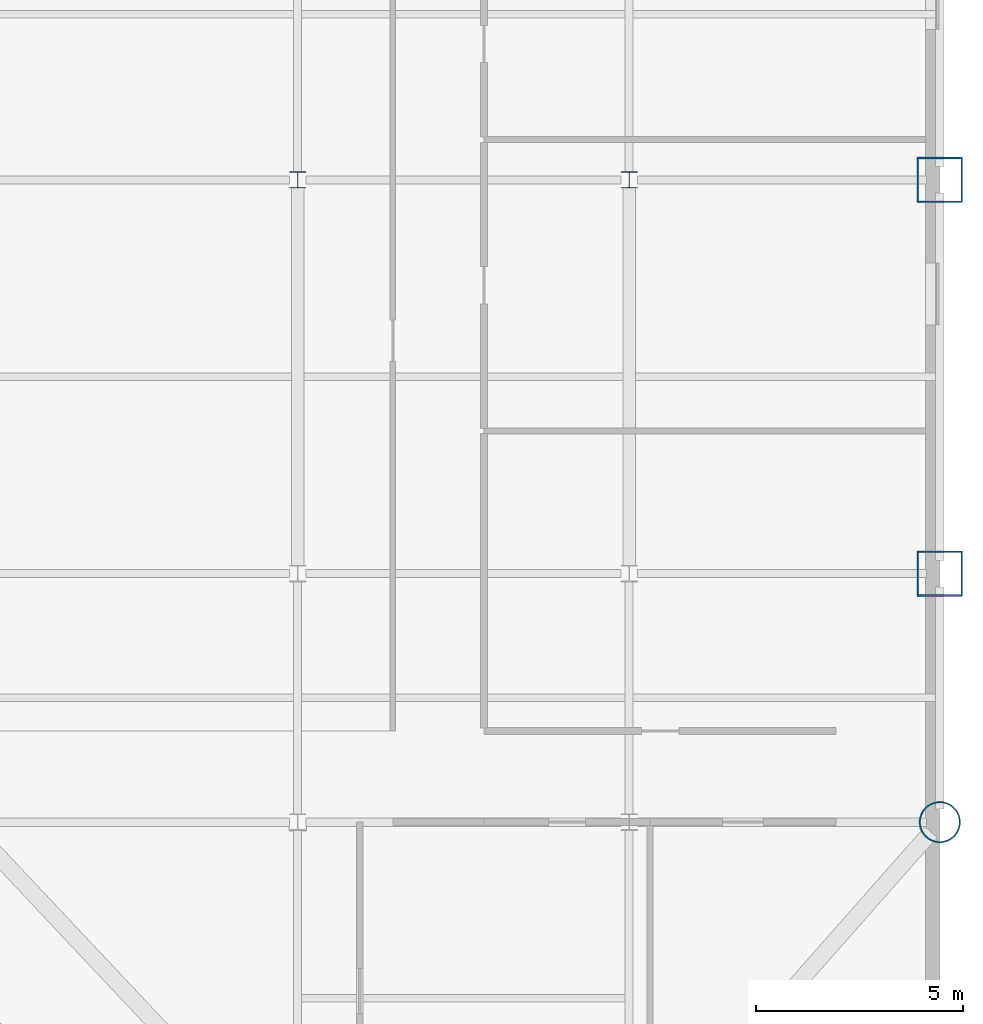
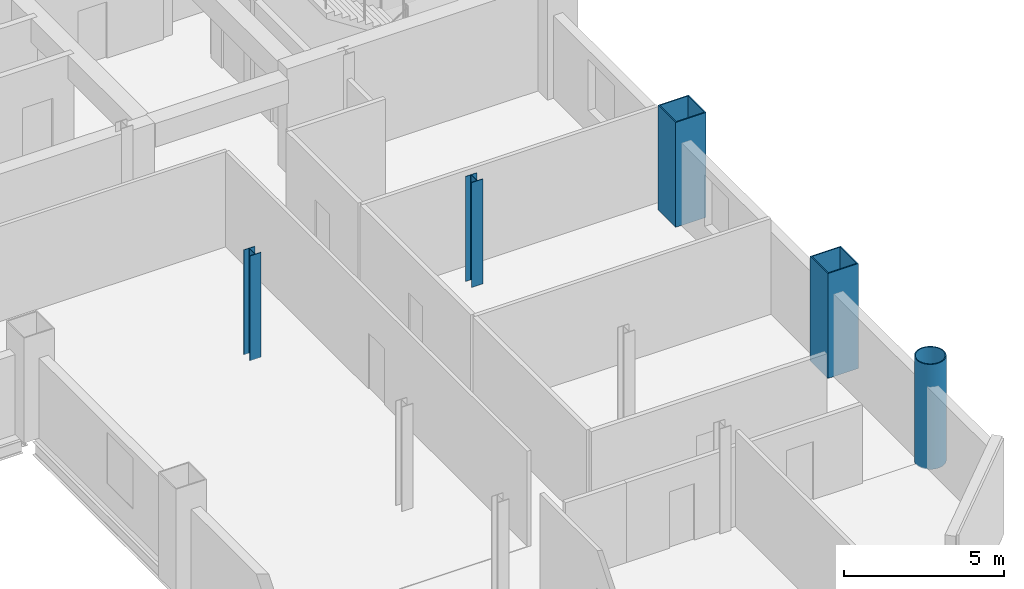
# One storey, part 2 of 10: 5 columns.
"""IFC4 building model written with IfcOpenShell, lengths in metres."""

from ifc_helpers import new_model, si_unit, direction, frame, origin, origin_2d, place, context, subcontext, project, spatial, hollow_rectangle, hollow_circle, i_section, extrude, material, material_profile, profile_set, type_object, element, save


model = new_model("IFC4")

# Units and contexts
model_context = context("Model", 3, precision=1e-05, world=origin(), true_north=direction((0.0, 1.0)))
body_context = subcontext(model_context, "Body", "Model", "MODEL_VIEW")
ifc_project = project(units=[si_unit("LENGTHUNIT", "METRE"), si_unit("AREAUNIT", "SQUARE_METRE"), si_unit("VOLUMEUNIT", "CUBIC_METRE"), si_unit("PLANEANGLEUNIT", "RADIAN"), si_unit("MASSUNIT", "GRAM", prefix="KILO")], contexts=[model_context])

# Site, building, storey
site_placement = place(None, origin())
site = spatial("IfcSite", under=ifc_project, at=site_placement, CompositionType="ELEMENT")
building_placement = place(site_placement, origin())
building = spatial("IfcBuilding", under=site, at=building_placement, Name="Qianrong Seaharbour Tower", CompositionType="ELEMENT")
storey_placement = place(building_placement, frame((0.0, 0.0, 191.0)))
storey = spatial("IfcBuildingStorey", under=building, at=storey_placement, Name="L46", CompositionType="ELEMENT", Elevation=191.0)

# Columns
ifc_material = material(Name="Structural steel SN490B", Category="steel")
ifc_material_profile_1 = material_profile(ifc_material, hollow_rectangle(XDim=1.10009765625, YDim=1.10009765625, WallThickness=0.0400390625, at=origin_2d()), Name="BOX1100x1100x40")
ifc_profile_set_1 = profile_set([ifc_material_profile_1], Name="Structural steel SN490B")
column_type_1 = type_object("IfcColumnType", Name="COL-CFT-1100", PredefinedType="COLUMN", material=ifc_profile_set_1)
for number, where, z_axis, x_axis, name in (
    (1, (64.0, 18.5, 0.0), (0.0, 0.0, 1.0), (1.0, 0.0, 0.0), "L46 Column MC-3 at G9/GD"),
    (2, (64.0, 28.0, 0.0), (0.0, 0.0, 1.0), (1.0, 0.0, 0.0), "L46 Column MC-3 at G9/GE"),
):
    element("IfcColumn", number, at=place(storey_placement, frame(where, z_axis=z_axis, x_axis=x_axis)), inside=storey, type_object=column_type_1, Name=name, PredefinedType="COLUMN", context=body_context, shape_type="SweptSolid", body=[
        extrude(hollow_rectangle(XDim=1.10009765625, YDim=1.10009765625, WallThickness=0.0400390625, at=origin_2d()), origin(), (0.0, 0.0, 1.0), 4.0),
    ])
ifc_material_profile_2 = material_profile(ifc_material, hollow_circle(Radius=0.5, WallThickness=0.035888671875, at=origin_2d()), Name="CHS1000x36")
ifc_profile_set_2 = profile_set([ifc_material_profile_2], Name="Structural steel SN490B")
column_type_2 = type_object("IfcColumnType", Name="COL-CHS-1000", PredefinedType="COLUMN", material=ifc_profile_set_2)
column_placement = place(storey_placement, frame((64.0, 12.5, 0.0), z_axis=(0.0, 0.0, 1.0), x_axis=(1.0, 0.0, 0.0)))
element("IfcColumn", 3, at=column_placement, inside=storey, type_object=column_type_2, Name="L46 Column CC-2 at G9/GC", PredefinedType="COLUMN", context=body_context, shape_type="SweptSolid", body=[
    extrude(hollow_circle(Radius=0.5, WallThickness=0.035888671875, at=origin_2d()), origin(), (0.0, 0.0, 1.0), 4.0),
])
ifc_material_profile_3 = material_profile(ifc_material, i_section(OverallWidth=0.39990234375, OverallDepth=0.39990234375, WebThickness=0.012939453125, FlangeThickness=0.02099609375, FilletRadius=0.02197265625, at=origin_2d()), Name="H400x400x13x21")
ifc_profile_set_3 = profile_set([ifc_material_profile_3], Name="Structural steel SN490B")
column_type_3 = type_object("IfcColumnType", Name="COL-INT-H400", PredefinedType="COLUMN", material=ifc_profile_set_3)
for number, where, z_axis, x_axis, name in (
    (4, (48.5, 28.0, 0.0), (0.0, 0.0, 1.0), (1.0, 0.0, 0.0), "L46 Column IC-3 at G7/GE"),
    (5, (56.5, 28.0, 0.0), (0.0, 0.0, 1.0), (1.0, 0.0, 0.0), "L46 Column IC-3 at G8/GE"),
):
    element("IfcColumn", number, at=place(storey_placement, frame(where, z_axis=z_axis, x_axis=x_axis)), inside=storey, type_object=column_type_3, Name=name, PredefinedType="COLUMN", context=body_context, shape_type="SweptSolid", body=[
        extrude(i_section(OverallWidth=0.39990234375, OverallDepth=0.39990234375, WebThickness=0.012939453125, FlangeThickness=0.02099609375, FilletRadius=0.02197265625, at=origin_2d()), origin(), (0.0, 0.0, 1.0), 4.0),
    ])

save(model, "model.ifc")
